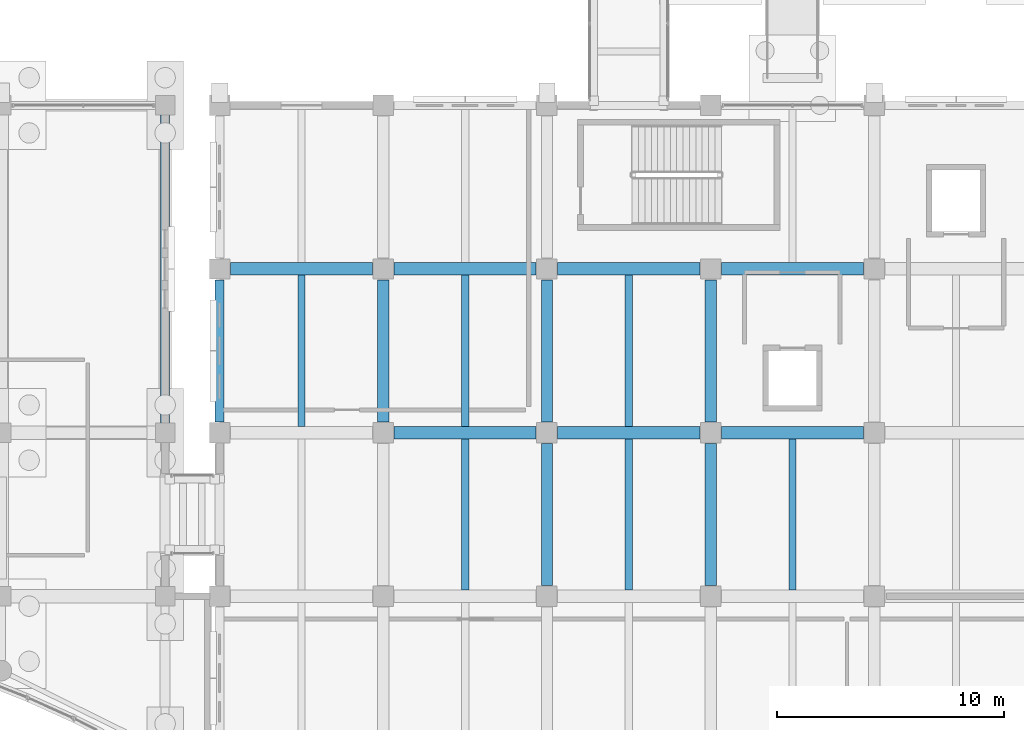
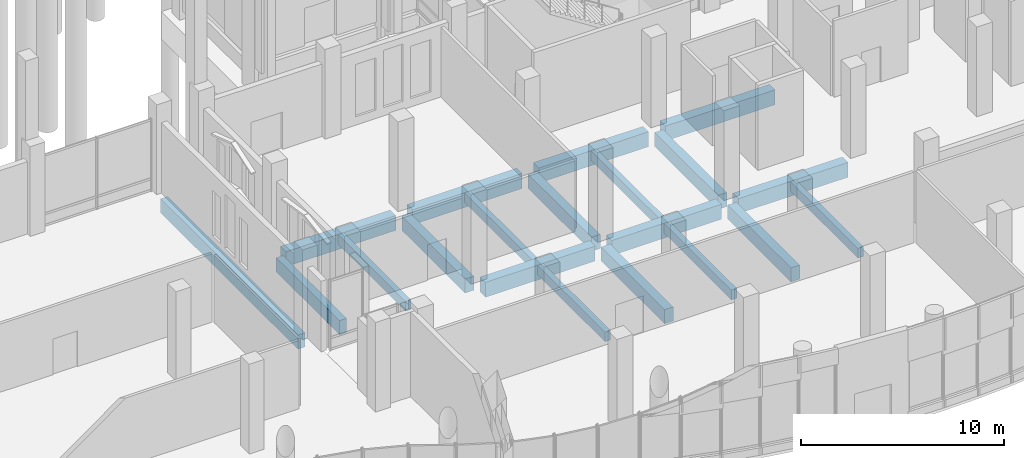
# One storey, part 77 of 192: 20 beams.
"""IFC4 building model written with IfcOpenShell, lengths in metres."""

from ifc_helpers import new_model, si_unit, direction, frame, origin, origin_2d, place, context, subcontext, project, spatial, rectangle, extrude, material, material_profile, profile_set, type_object, element, save


model = new_model("IFC4")

# Units and contexts
model_context = context("Model", 3, precision=1e-05, world=origin(), true_north=direction((0.0, 1.0)))
body_context = subcontext(model_context, "Body", "Model", "MODEL_VIEW")
ifc_project = project(units=[si_unit("LENGTHUNIT", "METRE"), si_unit("AREAUNIT", "SQUARE_METRE"), si_unit("VOLUMEUNIT", "CUBIC_METRE"), si_unit("PLANEANGLEUNIT", "RADIAN"), si_unit("MASSUNIT", "GRAM", prefix="KILO")], contexts=[model_context])

# Site, building, storey
site_placement = place(None, origin())
site = spatial("IfcSite", under=ifc_project, at=site_placement, CompositionType="ELEMENT")
building_placement = place(site_placement, origin())
building = spatial("IfcBuilding", under=site, at=building_placement, Name="Cendralis Lancet Convention Centre", CompositionType="ELEMENT")
storey_placement = place(building_placement, origin())
storey = spatial("IfcBuildingStorey", under=building, at=storey_placement, Name="L00", CompositionType="ELEMENT", Elevation=0.0)

# Beams
ifc_material_1 = material(Name="Concrete G40 (C40/50)", Category="concrete")
ifc_material_profile_1 = material_profile(ifc_material_1, rectangle(XDim=0.550048828125, YDim=0.89990234375, at=origin_2d()), Name="RCB 550x900")
ifc_profile_set_1 = profile_set([ifc_material_profile_1], Name="Concrete G40 (C40/50)")
beam_type_1 = type_object("IfcBeamType", Name="STR-BM-BG06", PredefinedType="BEAM", material=ifc_profile_set_1)
for number, where, z_axis, x_axis, name in (
    (1, (139.675048828125, 21.60009765625, -0.77001953125), (1.0, 0.0, 0.0), (0.0, 1.0, 0.0), "L00 Beam BG06 #0022"),
    (2, (146.875, 21.60009765625, -0.77001953125), (1.0, 0.0, 0.0), (0.0, 1.0, 0.0), "L00 Beam BG06 #0023"),
    (3, (154.074951171875, 21.60009765625, -0.77001953125), (1.0, 0.0, 0.0), (0.0, 1.0, 0.0), "L00 Beam BG06 #0024"),
    (4, (132.47509765625, 28.800048828125, -0.77001953125), (1.0, 0.0, 0.0), (0.0, 1.0, 0.0), "L00 Beam BG06 #0031"),
    (5, (139.675048828125, 28.800048828125, -0.77001953125), (1.0, 0.0, 0.0), (0.0, 1.0, 0.0), "L00 Beam BG06 #0032"),
    (6, (146.875, 28.800048828125, -0.77001953125), (1.0, 0.0, 0.0), (0.0, 1.0, 0.0), "L00 Beam BG06 #0033"),
    (7, (154.074951171875, 28.800048828125, -0.77001953125), (1.0, 0.0, 0.0), (0.0, 1.0, 0.0), "L00 Beam BG06 #0034"),
):
    element("IfcBeam", number, at=place(storey_placement, frame(where, z_axis=z_axis, x_axis=x_axis)), inside=storey, type_object=beam_type_1, Name=name, PredefinedType="BEAM", context=body_context, shape_type="SweptSolid", body=[
        extrude(rectangle(XDim=0.550048828125, YDim=0.89990234375, at=origin_2d()), origin(), (0.0, 0.0, 1.0), 6.25),
    ])
ifc_material_2 = material(Name="Concrete G35 (C35/45)", Category="concrete")
ifc_material_profile_2 = material_profile(ifc_material_2, rectangle(XDim=0.5, YDim=0.85009765625, at=origin_2d()), Name="RCB 500x850")
ifc_profile_set_2 = profile_set([ifc_material_profile_2], Name="Concrete G35 (C35/45)")
beam_type_2 = type_object("IfcBeamType", Name="STR-BM-BG08", PredefinedType="BEAM", material=ifc_profile_set_2)
for number, where, z_axis, x_axis, name in (
    (8, (139.199951171875, 22.074951171875, -0.7451171875), (0.0, 1.0, 0.0), (-1.0, 0.0, 0.0), "L00 Beam BG08 #0057"),
    (9, (146.39990234375, 14.875, -0.7451171875), (0.0, 1.0, 0.0), (-1.0, 0.0, 0.0), "L00 Beam BG08 #0060"),
    (10, (146.39990234375, 22.074951171875, -0.7451171875), (0.0, 1.0, 0.0), (-1.0, 0.0, 0.0), "L00 Beam BG08 #0061"),
    (11, (153.60009765625, 14.875, -0.7451171875), (0.0, 1.0, 0.0), (-1.0, 0.0, 0.0), "L00 Beam BG08 #0064"),
    (12, (153.60009765625, 22.074951171875, -0.7451171875), (0.0, 1.0, 0.0), (-1.0, 0.0, 0.0), "L00 Beam BG08 #0065"),
):
    element("IfcBeam", number, at=place(storey_placement, frame(where, z_axis=z_axis, x_axis=x_axis)), inside=storey, type_object=beam_type_2, Name=name, PredefinedType="BEAM", context=body_context, shape_type="SweptSolid", body=[
        extrude(rectangle(XDim=0.5, YDim=0.85009765625, at=origin_2d()), origin(), (0.0, 0.0, 1.0), 6.25),
    ])
ifc_material_profile_3 = material_profile(ifc_material_2, rectangle(XDim=0.320068359375, YDim=0.580078125, at=origin_2d()), Name="RCB 320x580")
ifc_profile_set_3 = profile_set([ifc_material_profile_3], Name="Concrete G35 (C35/45)")
beam_type_3 = type_object("IfcBeamType", Name="STR-JS-BJ01", PredefinedType="JOIST", material=ifc_profile_set_3)
for number, where, z_axis, x_axis, name in (
    (13, (135.60009765625, 21.875, -0.610107421875), (0.0, 1.0, 0.0), (-1.0, 0.0, 0.0), "L00 Beam BJ01 #0095"),
    (14, (142.800048828125, 14.675048828125, -0.610107421875), (0.0, 1.0, 0.0), (-1.0, 0.0, 0.0), "L00 Beam BJ01 #0098"),
    (15, (142.800048828125, 21.875, -0.610107421875), (0.0, 1.0, 0.0), (-1.0, 0.0, 0.0), "L00 Beam BJ01 #0099"),
    (16, (150.0, 14.675048828125, -0.610107421875), (0.0, 1.0, 0.0), (-1.0, 0.0, 0.0), "L00 Beam BJ01 #0102"),
    (17, (150.0, 21.875, -0.610107421875), (0.0, 1.0, 0.0), (-1.0, 0.0, 0.0), "L00 Beam BJ01 #0103"),
    (18, (157.199951171875, 14.675048828125, -0.610107421875), (0.0, 1.0, 0.0), (-1.0, 0.0, 0.0), "L00 Beam BJ01 #0105"),
):
    element("IfcBeam", number, at=place(storey_placement, frame(where, z_axis=z_axis, x_axis=x_axis)), inside=storey, type_object=beam_type_3, Name=name, PredefinedType="JOIST", context=body_context, shape_type="SweptSolid", body=[
        extrude(rectangle(XDim=0.320068359375, YDim=0.580078125, at=origin_2d()), origin(), (0.0, 0.0, 1.0), 6.64990234375),
    ])
ifc_material_profile_4 = material_profile(ifc_material_1, rectangle(XDim=0.39990234375, YDim=0.85009765625, at=origin_2d()), Name="RCB 400x850")
ifc_profile_set_4 = profile_set([ifc_material_profile_4], Name="Concrete G40 (C40/50)")
beam_type_4 = type_object("IfcBeamType", Name="STR-SP-SP02", PredefinedType="SPANDREL", material=ifc_profile_set_4)
beam_1_placement = place(storey_placement, frame((132.0, 22.074951171875, -0.7451171875), z_axis=(0.0, 1.0, 0.0), x_axis=(-1.0, 0.0, 0.0)))
element("IfcBeam", 19, at=beam_1_placement, inside=storey, type_object=beam_type_4, Name="L00 Beam SP02 #0053", PredefinedType="SPANDREL", context=body_context, shape_type="SweptSolid", body=[
    extrude(rectangle(XDim=0.39990234375, YDim=0.85009765625, at=origin_2d()), origin(), (0.0, 0.0, 1.0), 6.25),
])
beam_2_placement = place(storey_placement, frame((129.60009765625, 22.02490234375, -0.7451171875), z_axis=(0.0, 1.0, 0.0), x_axis=(-1.0, 0.0, 0.0)))
element("IfcBeam", 20, at=beam_2_placement, inside=storey, type_object=beam_type_4, Name="L00 Beam SP02 #0718", PredefinedType="SPANDREL", context=body_context, shape_type="SweptSolid", body=[
    extrude(rectangle(XDim=0.39990234375, YDim=0.85009765625, at=origin_2d()), origin(), (0.0, 0.0, 1.0), 13.550048828125),
])

save(model, "model.ifc")
